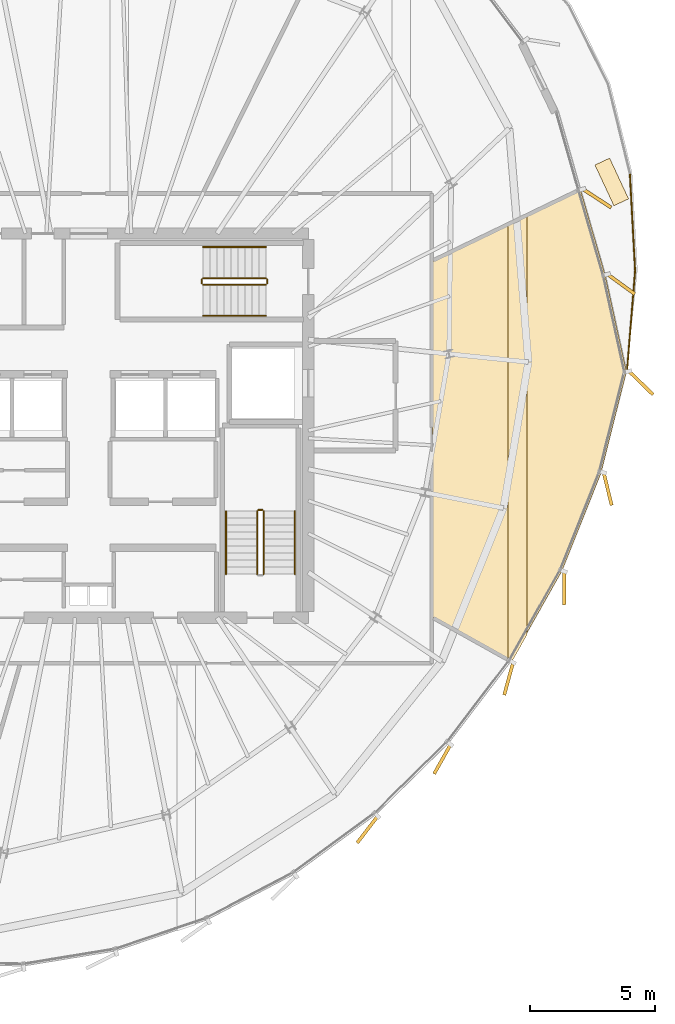
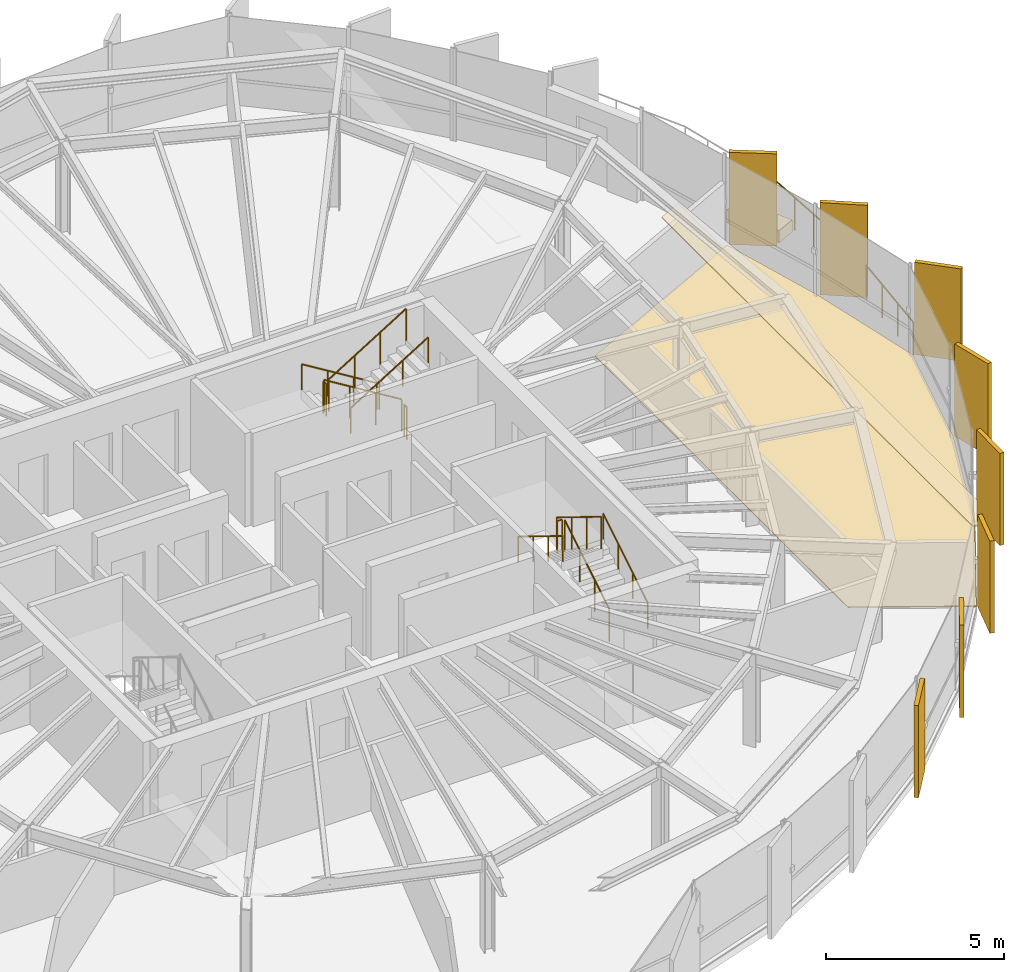
# One storey, part 33 of 34: 13 railings, 11 coverings.
"""IFC4 building model written with IfcOpenShell, lengths in metres."""

import ifcopenshell
import ifcopenshell.guid

model = None  # the IFC model being written
_history = None  # IfcOwnerHistory: only IFC2X3 demands one
_inside = {}  # id of a spatial element -> (the spatial element, [elements in it])
_under = {}  # id of a project, library or spatial element -> (it, [spatial elements below it])
_declared = {}  # id of a project -> (the project, [libraries it declares])
_typed = {}  # id of a type object -> (the type object, [elements of that type])
_made_of = {}  # id of a material, layer set ... -> (it, [elements and type objects made of it])


def new_model(schema):
    """Start an empty IFC model of exactly this schema.

    Asked for "IFC4X3", IfcOpenShell would pick the latest addendum, in which some entities
    have other attributes; the version numbers below select the first issue.
    IFC2X3 requires an IfcOwnerHistory on every rooted entity: one is made here for all.
    """
    global model, _history
    if schema == "IFC4X3":
        model = ifcopenshell.file(schema_version=(4, 3, 0, 0))
    else:
        model = ifcopenshell.file(schema=schema)
    _inside.clear()
    _under.clear()
    _declared.clear()
    _typed.clear()
    _made_of.clear()
    _history = None
    if model.schema == "IFC2X3":
        org = make("IfcOrganization", Name="unknown")
        user = make(
            "IfcPersonAndOrganization",
            ThePerson=make("IfcPerson", FamilyName="unknown"),
            TheOrganization=org,
        )
        app = make(
            "IfcApplication",
            ApplicationDeveloper=org,
            Version="unknown",
            ApplicationFullName="unknown",
            ApplicationIdentifier="unknown",
        )
        _history = make(
            "IfcOwnerHistory",
            OwningUser=user,
            OwningApplication=app,
            ChangeAction="ADDED",
            CreationDate=0,
        )
    return model


def make(cls, **values):
    """One entity of the class cls with the attributes given. An attribute that is None is left unset."""
    return model.create_entity(
        cls, **{name: value for name, value in values.items() if value is not None}
    )


def rooted(cls, **values):
    """An entity with a GlobalId (a new one), such as an element, a storey or a relation."""
    return make(cls, GlobalId=ifcopenshell.guid.new(), OwnerHistory=_history, **values)


def si_unit(unit_type, name, prefix=None):
    """IfcSIUnit, for example si_unit("LENGTHUNIT", "METRE", prefix="MILLI")."""
    return make("IfcSIUnit", UnitType=unit_type, Prefix=prefix, Name=name)


def assignment(units):
    """IfcUnitAssignment: the units of a project."""
    return None if units is None else make("IfcUnitAssignment", Units=units)


def point(xyz):
    """IfcCartesianPoint."""
    return None if xyz is None else make("IfcCartesianPoint", Coordinates=xyz)


def direction(xyz):
    """IfcDirection."""
    return None if xyz is None else make("IfcDirection", DirectionRatios=xyz)


def frame(location, z_axis=None, x_axis=None):
    """IfcAxis2Placement3D, a coordinate frame: its origin and axes. An axis left out is left unset."""
    return make(
        "IfcAxis2Placement3D",
        Location=point(location),
        Axis=direction(z_axis),
        RefDirection=direction(x_axis),
    )


def frame_2d(location, x_axis=None):
    """IfcAxis2Placement2D, a coordinate frame in the plane: its origin and x axis."""
    return make(
        "IfcAxis2Placement2D", Location=point(location), RefDirection=direction(x_axis)
    )


def origin():
    """The frame at (0, 0, 0) with its axes left unset."""
    return frame((0.0, 0.0, 0.0))


def origin_2d():
    """The frame at (0, 0) in the plane with its x axis left unset."""
    return frame_2d((0.0, 0.0))


def place(relative_to, where):
    """IfcLocalPlacement: puts the frame where relative to a parent placement (None: the world)."""
    return make(
        "IfcLocalPlacement", PlacementRelTo=relative_to, RelativePlacement=where
    )


def context(
    kind, dimensions, precision=None, world=None, true_north=None, identifier=None
):
    """IfcGeometricRepresentationContext, for example the 3D "Model" context."""
    return make(
        "IfcGeometricRepresentationContext",
        ContextIdentifier=identifier,
        ContextType=kind,
        CoordinateSpaceDimension=dimensions,
        Precision=precision,
        WorldCoordinateSystem=world,
        TrueNorth=true_north,
    )


def subcontext(parent, identifier, kind, view, scale=None):
    """IfcGeometricRepresentationSubContext, for example "Body" below "Model"."""
    return make(
        "IfcGeometricRepresentationSubContext",
        ContextIdentifier=identifier,
        ContextType=kind,
        ParentContext=parent,
        TargetScale=scale,
        TargetView=view,
    )


def project(units=None, contexts=None):
    """IfcProject with its units and contexts."""
    return rooted(
        "IfcProject",
        Name="project",
        RepresentationContexts=contexts,
        UnitsInContext=assignment(units),
    )


def spatial(cls, under=None, at=None, **own):
    """A site, building, storey or space (cls), placed at a placement, below another one or the project."""
    s = rooted(cls, ObjectPlacement=at, **own)
    if under is not None:
        _under.setdefault(under.id(), (under, []))[1].append(s)
    return s


def polyline(points):
    """IfcPolyline through the points."""
    return make("IfcPolyline", Points=[point(p) for p in points])


def profile(cls, at=None, kind="AREA", **sizes):
    """A parametric profile (cls). Its sizes go by their IFC names, for example OverallWidth=200.0."""
    return make(cls, ProfileType=kind, Position=at, **sizes)


def rectangle(**sizes):
    """IfcRectangleProfileDef."""
    return profile("IfcRectangleProfileDef", **sizes)


def circle(**sizes):
    """IfcCircleProfileDef."""
    return profile("IfcCircleProfileDef", **sizes)


def outline(outer, holes=None, kind="AREA"):
    """IfcArbitraryClosedProfileDef: a profile drawn as a closed curve; with holes, ...WithVoids."""
    if holes is None:
        return make("IfcArbitraryClosedProfileDef", ProfileType=kind, OuterCurve=outer)
    return make(
        "IfcArbitraryProfileDefWithVoids",
        ProfileType=kind,
        OuterCurve=outer,
        InnerCurves=holes,
    )


def extrude(swept, where, along, depth):
    """IfcExtrudedAreaSolid: the profile swept, set in the frame where, extruded along a direction by depth."""
    return make(
        "IfcExtrudedAreaSolid",
        SweptArea=swept,
        Position=where,
        ExtrudedDirection=direction(along),
        Depth=depth,
    )


def shape(context_of_items, identifier, shape_type, items):
    """IfcShapeRepresentation: the items that make up one representation, for example the "Body"."""
    return make(
        "IfcShapeRepresentation",
        ContextOfItems=context_of_items,
        RepresentationIdentifier=identifier,
        RepresentationType=shape_type,
        Items=items,
    )


def source(mapping_origin, context_of_items, identifier, shape_type, items):
    """IfcRepresentationMap: a shape defined once, which mapped items show again and again."""
    return make(
        "IfcRepresentationMap",
        MappingOrigin=mapping_origin,
        MappedRepresentation=shape(context_of_items, identifier, shape_type, items),
    )


def transform(
    local_origin,
    x_axis=None,
    y_axis=None,
    z_axis=None,
    scale=None,
    scale2=None,
    scale3=None,
    uniform=True,
):
    """IfcCartesianTransformationOperator3D, or its non-uniform kind. x_axis, y_axis, z_axis: its Axis1, 2, 3."""
    if uniform:
        return make(
            "IfcCartesianTransformationOperator3D",
            Axis1=direction(x_axis),
            Axis2=direction(y_axis),
            LocalOrigin=point(local_origin),
            Scale=scale,
            Axis3=direction(z_axis),
        )
    return make(
        "IfcCartesianTransformationOperator3DnonUniform",
        Axis1=direction(x_axis),
        Axis2=direction(y_axis),
        LocalOrigin=point(local_origin),
        Scale=scale,
        Axis3=direction(z_axis),
        Scale2=scale2,
        Scale3=scale3,
    )


def mapped(mapping_source, mapping_target):
    """IfcMappedItem: shows the shape of a source again, moved by a transform."""
    return make(
        "IfcMappedItem", MappingSource=mapping_source, MappingTarget=mapping_target
    )


def material(Name=None, Category=None):
    """IfcMaterial."""
    return make("IfcMaterial", Name=Name, Category=Category)


def layer(
    of_material, thickness, ventilated=None, Name=None, Category=None, Priority=None
):
    """IfcMaterialLayer: one layer of a wall or slab, of a material (None: an air gap)."""
    return make(
        "IfcMaterialLayer",
        Material=of_material,
        LayerThickness=thickness,
        IsVentilated=ventilated,
        Name=Name,
        Category=Category,
        Priority=Priority,
    )


def layer_set(layers, Name=None):
    """IfcMaterialLayerSet."""
    return make("IfcMaterialLayerSet", MaterialLayers=layers, LayerSetName=Name)


def made_of(thing, what):
    """Note that an element or type object is made of a material, layer set ...; save() writes the relation."""
    if what is not None:
        _made_of.setdefault(what.id(), (what, []))[1].append(thing)
    return thing


def type_object(cls, material=None, **own):
    """A type object (cls), such as IfcWallType, which elements share."""
    return made_of(rooted(cls, **own), material)


def element(
    cls,
    number,
    at=None,
    inside=None,
    cuts=None,
    type_object=None,
    material=None,
    context=None,
    identifier="Body",
    shape_type=None,
    held_by="IfcProductDefinitionShape",
    body=None,
    shapes=None,
    **own,
):
    """One element of the class cls, such as IfcWall. Its Tag is "e" and its number.

    at: its placement. inside: the storey or other place that contains it. cuts: it is an
    opening in that element (IfcRelVoidsElement). A single representation is given by context,
    identifier, shape_type and body (its items); several are given by shapes. held_by: the class
    of the entity that holds the representations. save() writes the other relations.
    """
    e = rooted(cls, Tag="e%d" % number, ObjectPlacement=at, **own)
    if body is not None:
        shapes = [shape(context, identifier, shape_type, body)]
    if shapes is not None:
        e.Representation = make(held_by, Representations=shapes)
    if inside is not None:
        _inside.setdefault(inside.id(), (inside, []))[1].append(e)
    if cuts is not None:
        rooted(
            "IfcRelVoidsElement", RelatingBuildingElement=cuts, RelatedOpeningElement=e
        )
    if type_object is not None:
        _typed.setdefault(type_object.id(), (type_object, []))[1].append(e)
    return made_of(e, material)


def aggregate(whole, parts):
    """IfcRelAggregates: a whole, such as a stair, and the parts it consists of."""
    return rooted("IfcRelAggregates", RelatingObject=whole, RelatedObjects=parts)


def save(model, path):
    """Write the relations noted so far, then the file.

    IfcRelAggregates (storeys below a building ...), IfcRelContainedInSpatialStructure (elements
    in a storey), IfcRelDefinesByType, IfcRelAssociatesMaterial and IfcRelDeclares: one each for
    every whole, place, type object, material and project.
    """
    for whole, parts in _under.values():
        aggregate(whole, parts)
    for where, things in _inside.values():
        rooted(
            "IfcRelContainedInSpatialStructure",
            RelatedElements=things,
            RelatingStructure=where,
        )
    for kind, things in _typed.values():
        rooted("IfcRelDefinesByType", RelatedObjects=things, RelatingType=kind)
    for what, things in _made_of.values():
        rooted("IfcRelAssociatesMaterial", RelatedObjects=things, RelatingMaterial=what)
    for by, libraries in _declared.values():
        rooted("IfcRelDeclares", RelatingContext=by, RelatedDefinitions=libraries)
    model.write(path)


model = new_model("IFC4")

# Units and contexts
model_context = context("Model", 3, precision=1e-05, world=origin(), true_north=direction((0.0, 1.0)))
body_context = subcontext(model_context, "Body", "Model", "MODEL_VIEW")
ifc_project = project(units=[si_unit("LENGTHUNIT", "METRE"), si_unit("AREAUNIT", "SQUARE_METRE"), si_unit("VOLUMEUNIT", "CUBIC_METRE"), si_unit("PLANEANGLEUNIT", "RADIAN"), si_unit("MASSUNIT", "GRAM", prefix="KILO"), si_unit("THERMODYNAMICTEMPERATUREUNIT", "KELVIN")], contexts=[model_context])

# Site, building, storey
site_placement = place(None, origin())
site = spatial("IfcSite", under=ifc_project, at=site_placement, CompositionType="ELEMENT")
building_placement = place(site_placement, origin())
building = spatial("IfcBuilding", under=site, at=building_placement, Name="Kethvar Cultural Tower", CompositionType="ELEMENT")
storey_placement = place(building_placement, frame((0.0, 0.0, 231.85009765625)))
storey = spatial("IfcBuildingStorey", under=building, at=storey_placement, Name="L60", CompositionType="ELEMENT", Elevation=231.85009765625)

# Coverings
ifc_material_1 = material(Name="Acoustic Mineral Fibre Ceiling")
ifc_layer_1 = layer(ifc_material_1, 0.0400390625, Name="Acoustic Mineral Fibre Ceiling")
ifc_layer_set_1 = layer_set([ifc_layer_1], Name="Acoustic Mineral Fibre Ceiling (40 mm)")
covering_type_1 = type_object("IfcCoveringType", Name="CV-ACOUSTIC-CEIL", PredefinedType="CEILING", material=ifc_layer_set_1)
covering_1_placement = place(storey_placement, frame((0.0, 0.0, 2.77978515625)))
element("IfcCovering", 1, at=covering_1_placement, inside=storey, type_object=covering_type_1, Name="L60 Room 03 Acoustic Ceiling Panel", PredefinedType="CEILING", context=body_context, shape_type="SweptSolid", body=[
    extrude(outline(polyline([(63.757080078125, 18.3330078125), (63.609375, 18.392578125), (63.609375, 35.87939453125), (64.359375, 36.239013671875), (64.359375, 19.401123046875), (63.757080078125, 18.3330078125)])), origin(), (0.0, 0.0, 1.0), 0.0400390625),
])
ifc_material_2 = material(Name="Architectural Oak Timber", Category="wood")
ifc_layer_2 = layer(ifc_material_2, 0.02490234375, Name="Architectural Oak Timber", Category="wood")
ifc_layer_set_2 = layer_set([ifc_layer_2], Name="Architectural Oak Timber (25 mm)")
covering_type_2 = type_object("IfcCoveringType", Name="CV-OAK-FLOOR", PredefinedType="FLOORING", material=ifc_layer_set_2)
covering_2_placement = place(storey_placement, origin())
element("IfcCovering", 2, at=covering_2_placement, inside=storey, type_object=covering_type_2, Name="L60 Room 03 Floor Finish", PredefinedType="FLOORING", context=body_context, shape_type="SweptSolid", body=[
    extrude(outline(polyline([(67.4990234375, 33.837890625), (68.352294921875, 29.96728515625), (67.334716796875, 25.906494140625), (65.77392578125, 21.99267578125), (63.732177734375, 18.369873046875), (60.570068359375, 20.13525390625), (60.570068359375, 34.37841796875), (66.51806640625, 37.2294921875), (67.4990234375, 33.837890625)])), origin(), (0.0, 0.0, 1.0), 0.02490234375),
])

# Railings
ifc_material_3 = material(Name="Steel S355J2", Category="steel")
railing_type_1 = type_object("IfcRailingType", Name="RL-EXT-GUARD-1150", PredefinedType="BALUSTRADE", material=ifc_material_3)
railing_1_placement = place(storey_placement, frame((68.372802734375, 29.966796875, 0.0)))
element("IfcRailing", 3, at=railing_1_placement, inside=storey, type_object=railing_type_1, Name="L60 Spiralling Terrace Balustrade 01", PredefinedType="BALUSTRADE", context=body_context, shape_type="SweptSolid", body=[
    extrude(circle(Radius=0.02392578125, at=origin_2d()), frame((0.0, 0.0, 1.1259765625), z_axis=(0.080733426723, 0.996735729173, 0.0), x_axis=(-0.996735729173, 0.080733426723, 0.0)), (0.0, 0.0, 1.0), 4.05517578125),
    extrude(circle(Radius=0.02099609375, at=origin_2d()), origin(), (0.0, 0.0, 1.0), 1.101806640625),
    extrude(circle(Radius=0.02099609375, at=origin_2d()), frame((0.081787109375, 1.010498046875, 0.0)), (0.0, 0.0, 1.0), 1.101806640625),
    extrude(circle(Radius=0.02099609375, at=origin_2d()), frame((0.16357421875, 2.02099609375, 0.0)), (0.0, 0.0, 1.0), 1.101806640625),
    extrude(circle(Radius=0.02099609375, at=origin_2d()), frame((0.24560546875, 3.031494140625, 0.0)), (0.0, 0.0, 1.0), 1.101806640625),
    extrude(circle(Radius=0.02099609375, at=origin_2d()), frame((0.327392578125, 4.0419921875, 0.0)), (0.0, 0.0, 1.0), 1.101806640625),
])
railing_2_placement = place(storey_placement, frame((68.7001953125, 34.0087890625, 0.0)))
element("IfcRailing", 4, at=railing_2_placement, inside=storey, type_object=railing_type_1, Name="L60 Spiralling Terrace Balustrade 02", PredefinedType="BALUSTRADE", context=body_context, shape_type="SweptSolid", body=[
    extrude(circle(Radius=0.02392578125, at=origin_2d()), frame((0.0, 0.0, 1.1259765625), z_axis=(-0.054059564115, 0.998537712622, 0.0), x_axis=(-0.998537712622, -0.054059564115, 0.0)), (0.0, 0.0, 1.0), 3.90185546875),
    extrude(circle(Radius=0.02099609375, at=origin_2d()), origin(), (0.0, 0.0, 1.0), 1.101806640625),
    extrude(circle(Radius=0.02099609375, at=origin_2d()), frame((-0.052734375, 0.97412109375, 0.0)), (0.0, 0.0, 1.0), 1.101806640625),
    extrude(circle(Radius=0.02099609375, at=origin_2d()), frame((-0.10546875, 1.9482421875, 0.0)), (0.0, 0.0, 1.0), 1.101806640625),
    extrude(circle(Radius=0.02099609375, at=origin_2d()), frame((-0.158203125, 2.922119140625, 0.0)), (0.0, 0.0, 1.0), 1.101806640625),
    extrude(circle(Radius=0.02099609375, at=origin_2d()), frame((-0.2109375, 3.896240234375, 0.0)), (0.0, 0.0, 1.0), 1.101806640625),
])
railing_type_2 = type_object("IfcRailingType", Name="RL-STAIR-GUARD", PredefinedType="BALUSTRADE", material=ifc_material_3)
railing_3_placement = place(storey_placement, frame((53.81005859375, 21.85009765625, 0.17236328125)))
element("IfcRailing", 5, at=railing_3_placement, inside=storey, type_object=railing_type_2, Name="L60 ST-02 stair guard 1", PredefinedType="BALUSTRADE", context=body_context, shape_type="SweptSolid", body=[
    extrude(circle(Radius=0.02392578125, at=origin_2d()), frame((0.0, 0.0, 1.09619140625), z_axis=(0.0, 0.851400495292, 0.524516154772), x_axis=(-1.0, 0.0, 0.0)), (0.0, 0.0, 1.0), 2.9599609375),
    extrude(circle(Radius=0.02099609375, at=origin_2d()), origin(), (0.0, 0.0, 1.0), 1.072021484375),
    extrude(circle(Radius=0.02099609375, at=origin_2d()), frame((0.0, 0.840087890625, 0.517578125)), (0.0, 0.0, 1.0), 1.072021484375),
    extrude(circle(Radius=0.02099609375, at=origin_2d()), frame((0.0, 1.679931640625, 1.034912109375)), (0.0, 0.0, 1.0), 1.072021484375),
    extrude(circle(Radius=0.02099609375, at=origin_2d()), frame((0.0, 2.52001953125, 1.552490234375)), (0.0, 0.0, 1.0), 1.072021484375),
])
railing_4_placement = place(storey_placement, frame((53.760009765625, 24.419921875, 1.724853515625)))
element("IfcRailing", 6, at=railing_4_placement, inside=storey, type_object=railing_type_2, Name="L60 ST-02 stair guard 2", PredefinedType="BALUSTRADE", context=body_context, shape_type="SweptSolid", body=[
    extrude(circle(Radius=0.02392578125, at=origin_2d()), frame((0.0, 0.0, 1.09619140625), z_axis=(-1.0, 0.0, 0.0), x_axis=(0.0, -1.0, 0.0)), (0.0, 0.0, 1.0), 0.159912109375),
    extrude(circle(Radius=0.02099609375, at=origin_2d()), origin(), (0.0, 0.0, 1.0), 1.072021484375),
    extrude(circle(Radius=0.02099609375, at=origin_2d()), frame((-0.159912109375, 0.0, 0.0)), (0.0, 0.0, 1.0), 1.072021484375),
])
railing_5_placement = place(storey_placement, frame((53.550048828125, 24.3701171875, 1.8974609375)))
element("IfcRailing", 7, at=railing_5_placement, inside=storey, type_object=railing_type_2, Name="L60 ST-02 stair guard 3", PredefinedType="BALUSTRADE", context=body_context, shape_type="SweptSolid", body=[
    extrude(circle(Radius=0.02392578125, at=origin_2d()), frame((0.0, 0.0, 1.09619140625), z_axis=(0.0, -0.851400495292, 0.524516154772), x_axis=(1.0, 0.0, 0.0)), (0.0, 0.0, 1.0), 2.9599609375),
    extrude(circle(Radius=0.02099609375, at=origin_2d()), origin(), (0.0, 0.0, 1.0), 1.072021484375),
    extrude(circle(Radius=0.02099609375, at=origin_2d()), frame((0.0, -0.840087890625, 0.517578125)), (0.0, 0.0, 1.0), 1.072021484375),
    extrude(circle(Radius=0.02099609375, at=origin_2d()), frame((0.0, -1.679931640625, 1.034912109375)), (0.0, 0.0, 1.0), 1.072021484375),
    extrude(circle(Radius=0.02099609375, at=origin_2d()), frame((0.0, -2.52001953125, 1.552490234375)), (0.0, 0.0, 1.0), 1.072021484375),
])
railing_6_placement = place(storey_placement, frame((53.89990234375, 33.7099609375, 0.17236328125)))
element("IfcRailing", 8, at=railing_6_placement, inside=storey, type_object=railing_type_2, Name="L60 ST-03 stair guard 1", PredefinedType="BALUSTRADE", context=body_context, shape_type="SweptSolid", body=[
    extrude(circle(Radius=0.02392578125, at=origin_2d()), frame((0.0, 0.0, 1.09619140625), z_axis=(-0.851400495292, 0.0, 0.524516154772), x_axis=(0.0, -1.0, 0.0)), (0.0, 0.0, 1.0), 2.9599609375),
    extrude(circle(Radius=0.02099609375, at=origin_2d()), origin(), (0.0, 0.0, 1.0), 1.072021484375),
    extrude(circle(Radius=0.02099609375, at=origin_2d()), frame((-0.840087890625, 0.0, 0.517578125)), (0.0, 0.0, 1.0), 1.072021484375),
    extrude(circle(Radius=0.02099609375, at=origin_2d()), frame((-1.679931640625, 0.0, 1.034912109375)), (0.0, 0.0, 1.0), 1.072021484375),
    extrude(circle(Radius=0.02099609375, at=origin_2d()), frame((-2.52001953125, 0.0, 1.552490234375)), (0.0, 0.0, 1.0), 1.072021484375),
])
railing_7_placement = place(storey_placement, frame((51.330078125, 33.659912109375, 1.724853515625)))
element("IfcRailing", 9, at=railing_7_placement, inside=storey, type_object=railing_type_2, Name="L60 ST-03 stair guard 2", PredefinedType="BALUSTRADE", context=body_context, shape_type="SweptSolid", body=[
    extrude(circle(Radius=0.02392578125, at=origin_2d()), frame((0.0, 0.0, 1.09619140625), z_axis=(0.0, -1.0, 0.0), x_axis=(1.0, 0.0, 0.0)), (0.0, 0.0, 1.0), 0.159912109375),
    extrude(circle(Radius=0.02099609375, at=origin_2d()), origin(), (0.0, 0.0, 1.0), 1.072021484375),
    extrude(circle(Radius=0.02099609375, at=origin_2d()), frame((0.0, -0.159912109375, 0.0)), (0.0, 0.0, 1.0), 1.072021484375),
])
railing_8_placement = place(storey_placement, frame((51.3798828125, 33.449951171875, 1.8974609375)))
element("IfcRailing", 10, at=railing_8_placement, inside=storey, type_object=railing_type_2, Name="L60 ST-03 stair guard 3", PredefinedType="BALUSTRADE", context=body_context, shape_type="SweptSolid", body=[
    extrude(circle(Radius=0.02392578125, at=origin_2d()), frame((0.0, 0.0, 1.09619140625), z_axis=(0.851400495292, 0.0, 0.524516154772), x_axis=(0.0, 1.0, 0.0)), (0.0, 0.0, 1.0), 2.9599609375),
    extrude(circle(Radius=0.02099609375, at=origin_2d()), origin(), (0.0, 0.0, 1.0), 1.072021484375),
    extrude(circle(Radius=0.02099609375, at=origin_2d()), frame((0.840087890625, 0.0, 0.517578125)), (0.0, 0.0, 1.0), 1.072021484375),
    extrude(circle(Radius=0.02099609375, at=origin_2d()), frame((1.679931640625, 0.0, 1.034912109375)), (0.0, 0.0, 1.0), 1.072021484375),
    extrude(circle(Radius=0.02099609375, at=origin_2d()), frame((2.52001953125, 0.0, 1.552490234375)), (0.0, 0.0, 1.0), 1.072021484375),
])
railing_9_placement = place(storey_placement, frame((53.949951171875, 33.659912109375, 0.0)))
element("IfcRailing", 11, at=railing_9_placement, inside=storey, type_object=railing_type_2, Name="L60 ST-03 stair guard 4", PredefinedType="BALUSTRADE", context=body_context, shape_type="SweptSolid", body=[
    extrude(circle(Radius=0.02392578125, at=origin_2d()), frame((0.0, 0.0, 1.09619140625), z_axis=(0.0, -1.0, 0.0), x_axis=(1.0, 0.0, 0.0)), (0.0, 0.0, 1.0), 0.159912109375),
    extrude(circle(Radius=0.02099609375, at=origin_2d()), origin(), (0.0, 0.0, 1.0), 1.072021484375),
    extrude(circle(Radius=0.02099609375, at=origin_2d()), frame((0.0, -0.159912109375, 0.0)), (0.0, 0.0, 1.0), 1.072021484375),
])
railing_type_3 = type_object("IfcRailingType", Name="RL-STAIR-HANDRAIL", PredefinedType="HANDRAIL", material=ifc_material_3)
railing_10_placement = place(storey_placement, frame((55.06005859375, 21.85009765625, 0.17236328125)))
element("IfcRailing", 12, at=railing_10_placement, inside=storey, type_object=railing_type_3, Name="L60 ST-02 stair handrail 1", PredefinedType="HANDRAIL", context=body_context, shape_type="SweptSolid", body=[
    extrude(circle(Radius=0.02392578125, at=origin_2d()), frame((0.0, 0.0, 0.8759765625), z_axis=(0.0, 0.851400495292, 0.524516154772), x_axis=(-1.0, 0.0, 0.0)), (0.0, 0.0, 1.0), 2.9599609375),
    extrude(circle(Radius=0.02099609375, at=origin_2d()), origin(), (0.0, 0.0, 1.0), 0.851806640625),
    extrude(circle(Radius=0.02099609375, at=origin_2d()), frame((0.0, 0.840087890625, 0.517578125)), (0.0, 0.0, 1.0), 0.851806640625),
    extrude(circle(Radius=0.02099609375, at=origin_2d()), frame((0.0, 1.679931640625, 1.034912109375)), (0.0, 0.0, 1.0), 0.851806640625),
    extrude(circle(Radius=0.02099609375, at=origin_2d()), frame((0.0, 2.52001953125, 1.552490234375)), (0.0, 0.0, 1.0), 0.851806640625),
])
railing_11_placement = place(storey_placement, frame((52.300048828125, 24.3701171875, 1.8974609375)))
element("IfcRailing", 13, at=railing_11_placement, inside=storey, type_object=railing_type_3, Name="L60 ST-02 stair handrail 2", PredefinedType="HANDRAIL", context=body_context, shape_type="SweptSolid", body=[
    extrude(circle(Radius=0.02392578125, at=origin_2d()), frame((0.0, 0.0, 0.8759765625), z_axis=(0.0, -0.851400495292, 0.524516154772), x_axis=(1.0, 0.0, 0.0)), (0.0, 0.0, 1.0), 2.9599609375),
    extrude(circle(Radius=0.02099609375, at=origin_2d()), origin(), (0.0, 0.0, 1.0), 0.851806640625),
    extrude(circle(Radius=0.02099609375, at=origin_2d()), frame((0.0, -0.840087890625, 0.517578125)), (0.0, 0.0, 1.0), 0.851806640625),
    extrude(circle(Radius=0.02099609375, at=origin_2d()), frame((0.0, -1.679931640625, 1.034912109375)), (0.0, 0.0, 1.0), 0.851806640625),
    extrude(circle(Radius=0.02099609375, at=origin_2d()), frame((0.0, -2.52001953125, 1.552490234375)), (0.0, 0.0, 1.0), 0.851806640625),
])
railing_12_placement = place(storey_placement, frame((53.89990234375, 34.9599609375, 0.17236328125)))
element("IfcRailing", 14, at=railing_12_placement, inside=storey, type_object=railing_type_3, Name="L60 ST-03 stair handrail 1", PredefinedType="HANDRAIL", context=body_context, shape_type="SweptSolid", body=[
    extrude(circle(Radius=0.02392578125, at=origin_2d()), frame((0.0, 0.0, 0.8759765625), z_axis=(-0.851400495292, 0.0, 0.524516154772), x_axis=(0.0, -1.0, 0.0)), (0.0, 0.0, 1.0), 2.9599609375),
    extrude(circle(Radius=0.02099609375, at=origin_2d()), origin(), (0.0, 0.0, 1.0), 0.851806640625),
    extrude(circle(Radius=0.02099609375, at=origin_2d()), frame((-0.840087890625, 0.0, 0.517578125)), (0.0, 0.0, 1.0), 0.851806640625),
    extrude(circle(Radius=0.02099609375, at=origin_2d()), frame((-1.679931640625, 0.0, 1.034912109375)), (0.0, 0.0, 1.0), 0.851806640625),
    extrude(circle(Radius=0.02099609375, at=origin_2d()), frame((-2.52001953125, 0.0, 1.552490234375)), (0.0, 0.0, 1.0), 0.851806640625),
])
railing_13_placement = place(storey_placement, frame((51.3798828125, 32.199951171875, 1.8974609375)))
element("IfcRailing", 15, at=railing_13_placement, inside=storey, type_object=railing_type_3, Name="L60 ST-03 stair handrail 2", PredefinedType="HANDRAIL", context=body_context, shape_type="SweptSolid", body=[
    extrude(circle(Radius=0.02392578125, at=origin_2d()), frame((0.0, 0.0, 0.8759765625), z_axis=(0.851400495292, 0.0, 0.524516154772), x_axis=(0.0, 1.0, 0.0)), (0.0, 0.0, 1.0), 2.9599609375),
    extrude(circle(Radius=0.02099609375, at=origin_2d()), origin(), (0.0, 0.0, 1.0), 0.851806640625),
    extrude(circle(Radius=0.02099609375, at=origin_2d()), frame((0.840087890625, 0.0, 0.517578125)), (0.0, 0.0, 1.0), 0.851806640625),
    extrude(circle(Radius=0.02099609375, at=origin_2d()), frame((1.679931640625, 0.0, 1.034912109375)), (0.0, 0.0, 1.0), 0.851806640625),
    extrude(circle(Radius=0.02099609375, at=origin_2d()), frame((2.52001953125, 0.0, 1.552490234375)), (0.0, 0.0, 1.0), 0.851806640625),
])

# Coverings
ifc_material_4 = material(Name="Extruded Architectural Terracotta", Category="masonry")
ifc_layer_3 = layer(ifc_material_4, 0.419921875, Name="Extruded Architectural Terracotta", Category="masonry")
ifc_layer_set_3 = layer_set([ifc_layer_3], Name="Extruded Architectural Terracotta (420 mm)")
covering_type_3 = type_object("IfcCoveringType", Name="Terracotta Terrace Planter PLANTER-01", PredefinedType="USERDEFINED", material=ifc_layer_set_3)
shared_shape_1 = source(origin(), body_context, "Body", "SweptSolid", [
    extrude(rectangle(XDim=1.800048828125, YDim=0.64990234375, at=origin_2d()), origin(), (0.0, 0.0, 1.0), 0.419921875),
])
covering_3_placement = place(storey_placement, frame((67.763916015625, 37.567138671875, 0.0), z_axis=(0.0, 0.0, 1.0), x_axis=(-0.422301874901, 0.906455253421, 0.0)))
element("IfcCovering", 16, at=covering_3_placement, inside=storey, type_object=covering_type_3, Name="L60 Sky Terrace Planter Box A", ObjectType="PLANTER", PredefinedType="USERDEFINED", context=body_context, shape_type="MappedRepresentation", body=[
    mapped(shared_shape_1, transform((0.0, 0.0, 0.0), scale=1.0)),
])
ifc_layer_4 = layer(ifc_material_4, 0.135009765625, Name="Extruded Architectural Terracotta", Category="masonry")
ifc_layer_set_4 = layer_set([ifc_layer_4], Name="Extruded Architectural Terracotta (135 mm)")
covering_type_4 = type_object("IfcCoveringType", Name="Terracotta Facade Fin FIN-03", PredefinedType="CLADDING", material=ifc_layer_set_4)
shared_shape_2 = source(origin(), body_context, "Body", "SweptSolid", [
    extrude(rectangle(XDim=1.35009765625, YDim=0.135009765625, at=origin_2d()), origin(), (0.0, 0.0, 1.0), 3.169921875),
])
for number, where, z_axis, x_axis, name in (
    (17, (57.970947265625, 11.609130859375, 0.02001953125), (0.0, 0.0, 1.0), (-0.608761429009, -0.793353340291, 0.0), "L60 Vertical Terracotta Fin 5.3"),
    (18, (60.97509765625, 14.430419921875, 0.02001953125), (0.0, 0.0, 1.0), (-0.489838999048, -0.87181291285, 0.0), "L60 Vertical Terracotta Fin 5.4"),
    (19, (63.631103515625, 17.65234375, 0.02001953125), (0.0, 0.0, 1.0), (-0.264209727938, -0.964465250625, 0.0), "L60 Vertical Terracotta Fin 5.5"),
    (20, (65.85888671875, 21.279296875, 0.02001953125), (0.0, 0.0, 1.0), (-0.010995352723, -0.999939549282, 0.0), "L60 Vertical Terracotta Fin 5.6"),
    (21, (67.6005859375, 25.259765625, 0.02001953125), (0.0, 0.0, 1.0), (0.237685892326, -0.971342069813, 0.0), "L60 Vertical Terracotta Fin 6.1"),
    (22, (68.9345703125, 29.513427734375, 0.02001953125), (0.0, 0.0, 1.0), (0.716667207449, -0.697415309387, 0.0), "L60 Vertical Terracotta Fin 6.2"),
    (23, (68.141357421875, 33.46826171875, 0.02001953125), (0.0, 0.0, 1.0), (0.809016994375, -0.587785252292, 0.0), "L60 Vertical Terracotta Fin 6.3"),
    (24, (67.173095703125, 36.910888671875, 0.02001953125), (0.0, 0.0, 1.0), (0.837623391089, -0.546248162194, 0.0), "L60 Vertical Terracotta Fin 6.4"),
):
    element("IfcCovering", number, at=place(storey_placement, frame(where, z_axis=z_axis, x_axis=x_axis)), inside=storey, type_object=covering_type_4, Name=name, PredefinedType="CLADDING", context=body_context, shape_type="MappedRepresentation", body=[
        mapped(shared_shape_2, transform((0.0, 0.0, 0.0), scale=1.0)),
    ])

save(model, "model.ifc")
